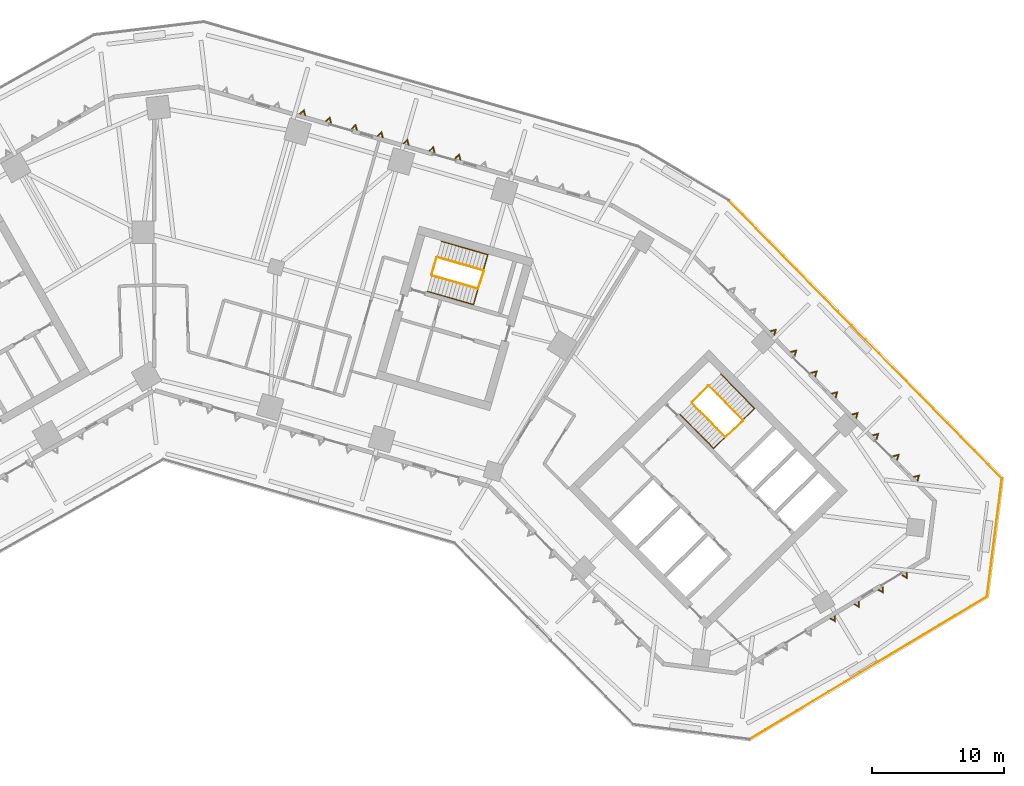
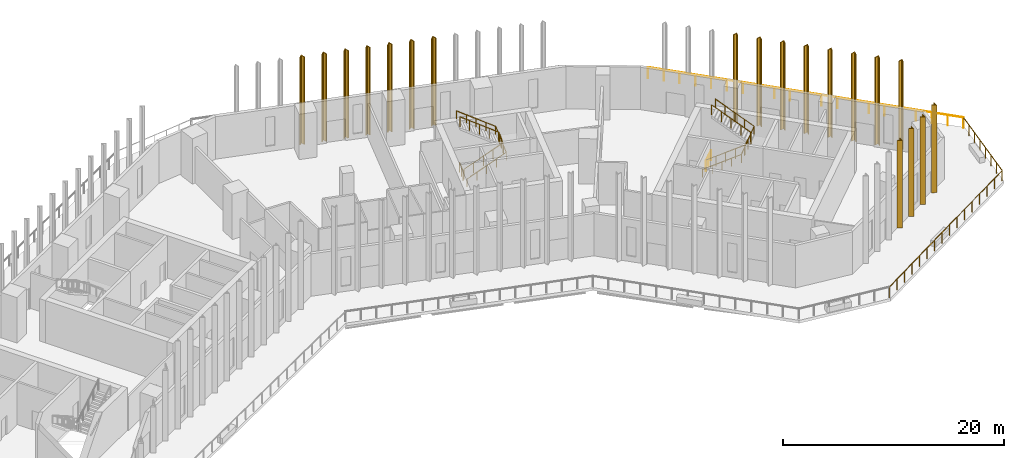
# One storey, part 15 of 17: 19 shading devices, 11 railings.
"""IFC4 building model written with IfcOpenShell, lengths in metres."""

from ifc_helpers import new_model, si_unit, direction, frame, origin, origin_2d, place, context, subcontext, project, spatial, polyline, circle, outline, extrude, material, type_object, element, save


model = new_model("IFC4")

# Units and contexts
model_context = context("Model", 3, precision=1e-05, world=origin(), true_north=direction((0.0, 1.0)))
body_context = subcontext(model_context, "Body", "Model", "MODEL_VIEW")
ifc_project = project(units=[si_unit("LENGTHUNIT", "METRE"), si_unit("AREAUNIT", "SQUARE_METRE"), si_unit("VOLUMEUNIT", "CUBIC_METRE"), si_unit("PLANEANGLEUNIT", "RADIAN"), si_unit("MASSUNIT", "GRAM", prefix="KILO")], contexts=[model_context])

# Site, building, storey
site_placement = place(None, origin())
site = spatial("IfcSite", under=ifc_project, at=site_placement, CompositionType="ELEMENT")
building_placement = place(site_placement, origin())
building = spatial("IfcBuilding", under=site, at=building_placement, Name="Binnacle Exchange Tower", CompositionType="ELEMENT")
storey_placement = place(building_placement, frame((0.0, 0.0, 26.5)))
storey = spatial("IfcBuildingStorey", under=building, at=storey_placement, Name="L05", CompositionType="ELEMENT", Elevation=26.5)

# Railings
ifc_material_1 = material(Name="Bronze anodised aluminium frame", Category="aluminium")
railing_type_1 = type_object("IfcRailingType", Name="GUARD 1200", PredefinedType="GUARDRAIL", material=ifc_material_1)
railing_1_placement = place(storey_placement, frame((45.200439453125, 21.5009765625, 0.0)))
element("IfcRailing", 1, at=railing_1_placement, inside=storey, type_object=railing_type_1, Name="Terrace guard 12 Terrace P", PredefinedType="GUARDRAIL", context=body_context, shape_type="SweptSolid", body=[
    extrude(circle(Radius=0.02392578125, at=origin_2d()), frame((0.0, 0.0, 1.17578125), z_axis=(0.857165029251, 0.51504185522, 0.0), x_axis=(-0.51504185522, 0.857165029251, 0.0)), (0.0, 0.0, 1.0), 21.0341796875),
    extrude(circle(Radius=0.02099609375, at=origin_2d()), origin(), (0.0, 0.0, 1.0), 1.15185546875),
    extrude(circle(Radius=0.02099609375, at=origin_2d()), frame((1.201904296875, 0.72216796875, 0.0)), (0.0, 0.0, 1.0), 1.15185546875),
    extrude(circle(Radius=0.02099609375, at=origin_2d()), frame((2.404052734375, 1.444580078125, 0.0)), (0.0, 0.0, 1.0), 1.15185546875),
    extrude(circle(Radius=0.02099609375, at=origin_2d()), frame((3.60595703125, 2.166748046875, 0.0)), (0.0, 0.0, 1.0), 1.15185546875),
    extrude(circle(Radius=0.02099609375, at=origin_2d()), frame((4.807861328125, 2.888916015625, 0.0)), (0.0, 0.0, 1.0), 1.15185546875),
    extrude(circle(Radius=0.02099609375, at=origin_2d()), frame((6.010009765625, 3.611083984375, 0.0)), (0.0, 0.0, 1.0), 1.15185546875),
    extrude(circle(Radius=0.02099609375, at=origin_2d()), frame((7.2119140625, 4.33349609375, 0.0)), (0.0, 0.0, 1.0), 1.15185546875),
    extrude(circle(Radius=0.02099609375, at=origin_2d()), frame((8.413818359375, 5.0556640625, 0.0)), (0.0, 0.0, 1.0), 1.15185546875),
    extrude(circle(Radius=0.02099609375, at=origin_2d()), frame((9.615966796875, 5.77783203125, 0.0)), (0.0, 0.0, 1.0), 1.15185546875),
    extrude(circle(Radius=0.02099609375, at=origin_2d()), frame((10.81787109375, 6.5, 0.0)), (0.0, 0.0, 1.0), 1.15185546875),
    extrude(circle(Radius=0.02099609375, at=origin_2d()), frame((12.019775390625, 7.222412109375, 0.0)), (0.0, 0.0, 1.0), 1.15185546875),
    extrude(circle(Radius=0.02099609375, at=origin_2d()), frame((13.221923828125, 7.944580078125, 0.0)), (0.0, 0.0, 1.0), 1.15185546875),
    extrude(circle(Radius=0.02099609375, at=origin_2d()), frame((14.423828125, 8.666748046875, 0.0)), (0.0, 0.0, 1.0), 1.15185546875),
    extrude(circle(Radius=0.02099609375, at=origin_2d()), frame((15.625732421875, 9.388916015625, 0.0)), (0.0, 0.0, 1.0), 1.15185546875),
    extrude(circle(Radius=0.02099609375, at=origin_2d()), frame((16.827880859375, 10.111328125, 0.0)), (0.0, 0.0, 1.0), 1.15185546875),
    extrude(circle(Radius=0.02099609375, at=origin_2d()), frame((18.02978515625, 10.83349609375, 0.0)), (0.0, 0.0, 1.0), 1.15185546875),
])
railing_2_placement = place(storey_placement, frame((63.230224609375, 32.33447265625, 0.0)))
element("IfcRailing", 2, at=railing_2_placement, inside=storey, type_object=railing_type_1, Name="Terrace guard 13 Terrace P", PredefinedType="GUARDRAIL", context=body_context, shape_type="SweptSolid", body=[
    extrude(circle(Radius=0.02392578125, at=origin_2d()), frame((0.0, 0.0, 1.17578125), z_axis=(0.126195319234, 0.992005413999, 0.0), x_axis=(-0.992005413999, 0.126195319234, 0.0)), (0.0, 0.0, 1.0), 9.03857421875),
    extrude(circle(Radius=0.02099609375, at=origin_2d()), origin(), (0.0, 0.0, 1.0), 1.15185546875),
    extrude(circle(Radius=0.02099609375, at=origin_2d()), frame((0.162841796875, 1.281005859375, 0.0)), (0.0, 0.0, 1.0), 1.15185546875),
    extrude(circle(Radius=0.02099609375, at=origin_2d()), frame((0.325927734375, 2.561767578125, 0.0)), (0.0, 0.0, 1.0), 1.15185546875),
    extrude(circle(Radius=0.02099609375, at=origin_2d()), frame((0.48876953125, 3.8427734375, 0.0)), (0.0, 0.0, 1.0), 1.15185546875),
    extrude(circle(Radius=0.02099609375, at=origin_2d()), frame((0.65185546875, 5.12353515625, 0.0)), (0.0, 0.0, 1.0), 1.15185546875),
    extrude(circle(Radius=0.02099609375, at=origin_2d()), frame((0.814697265625, 6.404541015625, 0.0)), (0.0, 0.0, 1.0), 1.15185546875),
    extrude(circle(Radius=0.02099609375, at=origin_2d()), frame((0.977783203125, 7.685302734375, 0.0)), (0.0, 0.0, 1.0), 1.15185546875),
    extrude(circle(Radius=0.02099609375, at=origin_2d()), frame((1.140625, 8.96630859375, 0.0)), (0.0, 0.0, 1.0), 1.15185546875),
])
railing_3_placement = place(storey_placement, frame((64.370849609375, 41.30078125, 0.0)))
element("IfcRailing", 3, at=railing_3_placement, inside=storey, type_object=railing_type_1, Name="Terrace guard 14 Terrace P", PredefinedType="GUARDRAIL", context=body_context, shape_type="SweptSolid", body=[
    extrude(circle(Radius=0.02392578125, at=origin_2d()), frame((0.0, 0.0, 1.17578125), z_axis=(-0.700909532215, 0.713250185875, 0.0), x_axis=(-0.713250185875, -0.700909532215, 0.0)), (0.0, 0.0, 1.0), 29.595947265625),
    extrude(circle(Radius=0.02099609375, at=origin_2d()), origin(), (0.0, 0.0, 1.0), 1.15185546875),
    extrude(circle(Radius=0.02099609375, at=origin_2d()), frame((-1.037109375, 1.055419921875, 0.0)), (0.0, 0.0, 1.0), 1.15185546875),
    extrude(circle(Radius=0.02099609375, at=origin_2d()), frame((-2.074462890625, 2.11083984375, 0.0)), (0.0, 0.0, 1.0), 1.15185546875),
    extrude(circle(Radius=0.02099609375, at=origin_2d()), frame((-3.111572265625, 3.16650390625, 0.0)), (0.0, 0.0, 1.0), 1.15185546875),
    extrude(circle(Radius=0.02099609375, at=origin_2d()), frame((-4.14892578125, 4.221923828125, 0.0)), (0.0, 0.0, 1.0), 1.15185546875),
    extrude(circle(Radius=0.02099609375, at=origin_2d()), frame((-5.18603515625, 5.27734375, 0.0)), (0.0, 0.0, 1.0), 1.15185546875),
    extrude(circle(Radius=0.02099609375, at=origin_2d()), frame((-6.22314453125, 6.332763671875, 0.0)), (0.0, 0.0, 1.0), 1.15185546875),
    extrude(circle(Radius=0.02099609375, at=origin_2d()), frame((-7.260498046875, 7.38818359375, 0.0)), (0.0, 0.0, 1.0), 1.15185546875),
    extrude(circle(Radius=0.02099609375, at=origin_2d()), frame((-8.297607421875, 8.44384765625, 0.0)), (0.0, 0.0, 1.0), 1.15185546875),
    extrude(circle(Radius=0.02099609375, at=origin_2d()), frame((-9.3349609375, 9.499267578125, 0.0)), (0.0, 0.0, 1.0), 1.15185546875),
    extrude(circle(Radius=0.02099609375, at=origin_2d()), frame((-10.3720703125, 10.5546875, 0.0)), (0.0, 0.0, 1.0), 1.15185546875),
    extrude(circle(Radius=0.02099609375, at=origin_2d()), frame((-11.4091796875, 11.610107421875, 0.0)), (0.0, 0.0, 1.0), 1.15185546875),
    extrude(circle(Radius=0.02099609375, at=origin_2d()), frame((-12.446533203125, 12.66552734375, 0.0)), (0.0, 0.0, 1.0), 1.15185546875),
    extrude(circle(Radius=0.02099609375, at=origin_2d()), frame((-13.483642578125, 13.72119140625, 0.0)), (0.0, 0.0, 1.0), 1.15185546875),
    extrude(circle(Radius=0.02099609375, at=origin_2d()), frame((-14.52099609375, 14.776611328125, 0.0)), (0.0, 0.0, 1.0), 1.15185546875),
    extrude(circle(Radius=0.02099609375, at=origin_2d()), frame((-15.55810546875, 15.83203125, 0.0)), (0.0, 0.0, 1.0), 1.15185546875),
    extrude(circle(Radius=0.02099609375, at=origin_2d()), frame((-16.59521484375, 16.887451171875, 0.0)), (0.0, 0.0, 1.0), 1.15185546875),
    extrude(circle(Radius=0.02099609375, at=origin_2d()), frame((-17.632568359375, 17.94287109375, 0.0)), (0.0, 0.0, 1.0), 1.15185546875),
    extrude(circle(Radius=0.02099609375, at=origin_2d()), frame((-18.669677734375, 18.99853515625, 0.0)), (0.0, 0.0, 1.0), 1.15185546875),
    extrude(circle(Radius=0.02099609375, at=origin_2d()), frame((-19.70703125, 20.053955078125, 0.0)), (0.0, 0.0, 1.0), 1.15185546875),
    extrude(circle(Radius=0.02099609375, at=origin_2d()), frame((-20.744140625, 21.109375, 0.0)), (0.0, 0.0, 1.0), 1.15185546875),
])
ifc_material_2 = material(Name="Steel guard rail", Category="steel")
railing_type_2 = type_object("IfcRailingType", Name="STAIR GUARD 1100", PredefinedType="GUARDRAIL", material=ifc_material_2)
railing_4_placement = place(storey_placement, frame((40.822509765625, 47.046875, 0.178466796875)))
element("IfcRailing", 4, at=railing_4_placement, inside=storey, type_object=railing_type_2, Name="L05 STB1 stair guard 1", PredefinedType="GUARDRAIL", context=body_context, shape_type="SweptSolid", body=[
    extrude(circle(Radius=0.02392578125, at=origin_2d()), frame((0.0, 0.0, 1.076171875), z_axis=(0.590946962671, -0.60135215321, 0.537733461056), x_axis=(0.713250539553, 0.700909172309, 0.0)), (0.0, 0.0, 1.0), 4.317138671875),
    extrude(circle(Radius=0.02392578125, at=origin_2d()), frame((2.55126953125, -2.59619140625, 3.3974609375), z_axis=(0.732527851538, 0.680737061369, 0.0), x_axis=(-0.680737061369, 0.732527851538, 0.0)), (0.0, 0.0, 1.0), 1.80078125),
    extrude(circle(Radius=0.02099609375, at=origin_2d()), origin(), (0.0, 0.0, 1.0), 1.052001953125),
    extrude(circle(Radius=0.02099609375, at=origin_2d()), frame((0.6376953125, -0.64892578125, 0.580322265625)), (0.0, 0.0, 1.0), 1.052001953125),
    extrude(circle(Radius=0.02099609375, at=origin_2d()), frame((1.275634765625, -1.298095703125, 1.16064453125)), (0.0, 0.0, 1.0), 1.052001953125),
    extrude(circle(Radius=0.02099609375, at=origin_2d()), frame((1.91357421875, -1.947265625, 1.7412109375)), (0.0, 0.0, 1.0), 1.052001953125),
    extrude(circle(Radius=0.02099609375, at=origin_2d()), frame((2.55126953125, -2.59619140625, 2.321533203125)), (0.0, 0.0, 1.0), 1.052001953125),
    extrude(circle(Radius=0.02099609375, at=origin_2d()), frame((3.2109375, -1.9833984375, 2.321533203125)), (0.0, 0.0, 1.0), 1.052001953125),
    extrude(circle(Radius=0.02099609375, at=origin_2d()), frame((3.870361328125, -1.370361328125, 2.321533203125)), (0.0, 0.0, 1.0), 1.052001953125),
])
railing_5_placement = place(storey_placement, frame((44.693359375, 45.747314453125, 2.678466796875)))
element("IfcRailing", 5, at=railing_5_placement, inside=storey, type_object=railing_type_2, Name="L05 STB1 stair guard 2", PredefinedType="GUARDRAIL", context=body_context, shape_type="SweptSolid", body=[
    extrude(circle(Radius=0.02392578125, at=origin_2d()), frame((0.0, 0.0, 1.076171875), z_axis=(-0.590946962671, 0.60135215321, 0.537733461056), x_axis=(-0.713250539553, -0.700909172309, 0.0)), (0.0, 0.0, 1.0), 4.317138671875),
    extrude(circle(Radius=0.02099609375, at=origin_2d()), origin(), (0.0, 0.0, 1.0), 1.052001953125),
    extrude(circle(Radius=0.02099609375, at=origin_2d()), frame((-0.6376953125, 0.64892578125, 0.580322265625)), (0.0, 0.0, 1.0), 1.052001953125),
    extrude(circle(Radius=0.02099609375, at=origin_2d()), frame((-1.275634765625, 1.298095703125, 1.16064453125)), (0.0, 0.0, 1.0), 1.052001953125),
    extrude(circle(Radius=0.02099609375, at=origin_2d()), frame((-1.91357421875, 1.947265625, 1.7412109375)), (0.0, 0.0, 1.0), 1.052001953125),
    extrude(circle(Radius=0.02099609375, at=origin_2d()), frame((-2.55126953125, 2.59619140625, 2.321533203125)), (0.0, 0.0, 1.0), 1.052001953125),
])
railing_6_placement = place(storey_placement, frame((40.8232421875, 47.117431640625, 0.0)))
element("IfcRailing", 6, at=railing_6_placement, inside=storey, type_object=railing_type_2, Name="L05 STB1 stair guard 3", PredefinedType="GUARDRAIL", context=body_context, shape_type="SweptSolid", body=[
    extrude(circle(Radius=0.02392578125, at=origin_2d()), frame((0.0, 0.0, 1.076171875), z_axis=(0.713218950569, 0.700941316052, 0.0), x_axis=(-0.700941316052, 0.713218950569, 0.0)), (0.0, 0.0, 1.0), 1.75),
    extrude(circle(Radius=0.02099609375, at=origin_2d()), origin(), (0.0, 0.0, 1.0), 1.052001953125),
    extrude(circle(Radius=0.02099609375, at=origin_2d()), frame((0.6240234375, 0.61328125, 0.0)), (0.0, 0.0, 1.0), 1.052001953125),
    extrude(circle(Radius=0.02099609375, at=origin_2d()), frame((1.248046875, 1.2265625, 0.0)), (0.0, 0.0, 1.0), 1.052001953125),
])
railing_7_placement = place(storey_placement, frame((21.086669921875, 56.71044921875, 0.178466796875)))
element("IfcRailing", 7, at=railing_7_placement, inside=storey, type_object=railing_type_2, Name="L05 STD1 stair guard 1", PredefinedType="GUARDRAIL", context=body_context, shape_type="SweptSolid", body=[
    extrude(circle(Radius=0.02392578125, at=origin_2d()), frame((0.0, 0.0, 1.076171875), z_axis=(0.810455892038, -0.232415135102, 0.537721537635), x_axis=(0.275659984683, 0.961255206927, 0.0)), (0.0, 0.0, 1.0), 4.3173828125),
    extrude(circle(Radius=0.02392578125, at=origin_2d()), frame((3.4990234375, -1.00341796875, 3.3974609375), z_axis=(0.309684985722, 0.950839213337, 0.0), x_axis=(-0.950839213337, 0.309684985722, 0.0)), (0.0, 0.0, 1.0), 1.40087890625),
    extrude(circle(Radius=0.02099609375, at=origin_2d()), origin(), (0.0, 0.0, 1.0), 1.052001953125),
    extrude(circle(Radius=0.02099609375, at=origin_2d()), frame((0.874755859375, -0.2509765625, 0.580322265625)), (0.0, 0.0, 1.0), 1.052001953125),
    extrude(circle(Radius=0.02099609375, at=origin_2d()), frame((1.74951171875, -0.501708984375, 1.16064453125)), (0.0, 0.0, 1.0), 1.052001953125),
    extrude(circle(Radius=0.02099609375, at=origin_2d()), frame((2.624267578125, -0.75244140625, 1.7412109375)), (0.0, 0.0, 1.0), 1.052001953125),
    extrude(circle(Radius=0.02099609375, at=origin_2d()), frame((3.4990234375, -1.00341796875, 2.321533203125)), (0.0, 0.0, 1.0), 1.052001953125),
    extrude(circle(Radius=0.02099609375, at=origin_2d()), frame((3.7158203125, -0.33740234375, 2.321533203125)), (0.0, 0.0, 1.0), 1.052001953125),
    extrude(circle(Radius=0.02099609375, at=origin_2d()), frame((3.932861328125, 0.32861328125, 2.321533203125)), (0.0, 0.0, 1.0), 1.052001953125),
])
railing_8_placement = place(storey_placement, frame((24.9853515625, 57.100830078125, 2.678466796875)))
element("IfcRailing", 8, at=railing_8_placement, inside=storey, type_object=railing_type_2, Name="L05 STD1 stair guard 2", PredefinedType="GUARDRAIL", context=body_context, shape_type="SweptSolid", body=[
    extrude(circle(Radius=0.02392578125, at=origin_2d()), frame((0.0, 0.0, 1.076171875), z_axis=(-0.810455892038, 0.232415135102, 0.537721537635), x_axis=(-0.275659984683, -0.961255206927, 0.0)), (0.0, 0.0, 1.0), 4.3173828125),
    extrude(circle(Radius=0.02099609375, at=origin_2d()), origin(), (0.0, 0.0, 1.0), 1.052001953125),
    extrude(circle(Radius=0.02099609375, at=origin_2d()), frame((-0.874755859375, 0.2509765625, 0.580322265625)), (0.0, 0.0, 1.0), 1.052001953125),
    extrude(circle(Radius=0.02099609375, at=origin_2d()), frame((-1.74951171875, 0.501708984375, 1.16064453125)), (0.0, 0.0, 1.0), 1.052001953125),
    extrude(circle(Radius=0.02099609375, at=origin_2d()), frame((-2.624267578125, 0.75244140625, 1.7412109375)), (0.0, 0.0, 1.0), 1.052001953125),
    extrude(circle(Radius=0.02099609375, at=origin_2d()), frame((-3.4990234375, 1.00341796875, 2.321533203125)), (0.0, 0.0, 1.0), 1.052001953125),
])
railing_9_placement = place(storey_placement, frame((21.05224609375, 56.772216796875, 0.0)))
element("IfcRailing", 9, at=railing_9_placement, inside=storey, type_object=railing_type_2, Name="L05 STD1 stair guard 3", PredefinedType="GUARDRAIL", context=body_context, shape_type="SweptSolid", body=[
    extrude(circle(Radius=0.02392578125, at=origin_2d()), frame((0.0, 0.0, 1.076171875), z_axis=(0.275795817769, 0.961216243569, 0.0), x_axis=(-0.961216243569, 0.275795817769, 0.0)), (0.0, 0.0, 1.0), 1.349853515625),
    extrude(circle(Radius=0.02099609375, at=origin_2d()), origin(), (0.0, 0.0, 1.0), 1.052001953125),
    extrude(circle(Radius=0.02099609375, at=origin_2d()), frame((0.18603515625, 0.64892578125, 0.0)), (0.0, 0.0, 1.0), 1.052001953125),
    extrude(circle(Radius=0.02099609375, at=origin_2d()), frame((0.372314453125, 1.297607421875, 0.0)), (0.0, 0.0, 1.0), 1.052001953125),
])
ifc_material_3 = material(Name="Steel handrail", Category="steel")
railing_type_3 = type_object("IfcRailingType", Name="STAIR HANDRAIL 900", PredefinedType="HANDRAIL", material=ifc_material_3)
railing_10_placement = place(storey_placement, frame((39.930908203125, 46.170654296875, 0.178466796875)))
element("IfcRailing", 10, at=railing_10_placement, inside=storey, type_object=railing_type_3, Name="L05 STB1 stair handrail 1", PredefinedType="HANDRAIL", context=body_context, shape_type="SweptSolid", body=[
    extrude(circle(Radius=0.02392578125, at=origin_2d()), frame((0.0, 0.0, 0.8759765625), z_axis=(0.590983762497, -0.601332057257, 0.53771549111), x_axis=(0.713217009097, 0.700943291525, 0.0)), (0.0, 0.0, 1.0), 4.3173828125),
    extrude(circle(Radius=0.02392578125, at=origin_2d()), frame((2.551513671875, -2.59619140625, 3.197265625), z_axis=(0.712654164256, 0.700316745611, 0.040993877406), x_axis=(-0.700905928746, 0.713253726978, 0.0)), (0.0, 0.0, 1.0), 4.353515625),
    extrude(circle(Radius=0.02392578125, at=origin_2d()), frame((5.654052734375, 0.45263671875, 3.3759765625), z_axis=(-0.590926866753, 0.601388251475, 0.537715174732), x_axis=(-0.713283488215, -0.700875641922, 0.0)), (0.0, 0.0, 1.0), 4.3173828125),
    extrude(circle(Radius=0.02099609375, at=origin_2d()), origin(), (0.0, 0.0, 1.0), 0.851806640625),
    extrude(circle(Radius=0.02099609375, at=origin_2d()), frame((0.637939453125, -0.64892578125, 0.580322265625)), (0.0, 0.0, 1.0), 0.851806640625),
    extrude(circle(Radius=0.02099609375, at=origin_2d()), frame((1.27587890625, -1.298095703125, 1.16064453125)), (0.0, 0.0, 1.0), 0.851806640625),
    extrude(circle(Radius=0.02099609375, at=origin_2d()), frame((1.91357421875, -1.947265625, 1.7412109375)), (0.0, 0.0, 1.0), 0.851806640625),
    extrude(circle(Radius=0.02099609375, at=origin_2d()), frame((2.551513671875, -2.59619140625, 2.321533203125)), (0.0, 0.0, 1.0), 0.851806640625),
    extrude(circle(Radius=0.02099609375, at=origin_2d()), frame((3.3271484375, -1.833984375, 2.3662109375)), (0.0, 0.0, 1.0), 0.851806640625),
    extrude(circle(Radius=0.02099609375, at=origin_2d()), frame((4.102783203125, -1.07177734375, 2.41064453125)), (0.0, 0.0, 1.0), 0.851806640625),
    extrude(circle(Radius=0.02099609375, at=origin_2d()), frame((4.87841796875, -0.3095703125, 2.455322265625)), (0.0, 0.0, 1.0), 0.851806640625),
    extrude(circle(Radius=0.02099609375, at=origin_2d()), frame((5.654052734375, 0.45263671875, 2.5)), (0.0, 0.0, 1.0), 0.851806640625),
    extrude(circle(Radius=0.02099609375, at=origin_2d()), frame((5.01611328125, 1.101806640625, 3.080322265625)), (0.0, 0.0, 1.0), 0.851806640625),
    extrude(circle(Radius=0.02099609375, at=origin_2d()), frame((4.37841796875, 1.7509765625, 3.66064453125)), (0.0, 0.0, 1.0), 0.851806640625),
    extrude(circle(Radius=0.02099609375, at=origin_2d()), frame((3.74072265625, 2.39990234375, 4.2412109375)), (0.0, 0.0, 1.0), 0.851806640625),
    extrude(circle(Radius=0.02099609375, at=origin_2d()), frame((3.102783203125, 3.049072265625, 4.821533203125)), (0.0, 0.0, 1.0), 0.851806640625),
])
railing_11_placement = place(storey_placement, frame((20.7421875, 55.5087890625, 0.178466796875)))
element("IfcRailing", 11, at=railing_11_placement, inside=storey, type_object=railing_type_3, Name="L05 STD1 stair handrail 1", PredefinedType="HANDRAIL", context=body_context, shape_type="SweptSolid", body=[
    extrude(circle(Radius=0.02392578125, at=origin_2d()), frame((0.0, 0.0, 0.8759765625), z_axis=(0.810436485383, -0.2324257871, 0.537746182368), x_axis=(0.27567775811, 0.961250109848, 0.0)), (0.0, 0.0, 1.0), 4.317138671875),
    extrude(circle(Radius=0.02392578125, at=origin_2d()), frame((3.498779296875, -1.00341796875, 3.197265625), z_axis=(0.275370676617, 0.960278056821, 0.045133624351), x_axis=(-0.961257617982, 0.275651576943, 0.0)), (0.0, 0.0, 1.0), 3.9541015625),
    extrude(circle(Radius=0.02392578125, at=origin_2d()), frame((4.587646484375, 2.793701171875, 3.3759765625), z_axis=(-0.810466542589, 0.232361639932, 0.537728604067), x_axis=(-0.275598008994, -0.961272977587, 0.0)), (0.0, 0.0, 1.0), 4.3173828125),
    extrude(circle(Radius=0.02099609375, at=origin_2d()), origin(), (0.0, 0.0, 1.0), 0.851806640625),
    extrude(circle(Radius=0.02099609375, at=origin_2d()), frame((0.874755859375, -0.2509765625, 0.580322265625)), (0.0, 0.0, 1.0), 0.851806640625),
    extrude(circle(Radius=0.02099609375, at=origin_2d()), frame((1.74951171875, -0.501708984375, 1.16064453125)), (0.0, 0.0, 1.0), 0.851806640625),
    extrude(circle(Radius=0.02099609375, at=origin_2d()), frame((2.6240234375, -0.75244140625, 1.7412109375)), (0.0, 0.0, 1.0), 0.851806640625),
    extrude(circle(Radius=0.02099609375, at=origin_2d()), frame((3.498779296875, -1.00341796875, 2.321533203125)), (0.0, 0.0, 1.0), 0.851806640625),
    extrude(circle(Radius=0.02099609375, at=origin_2d()), frame((3.77099609375, -0.05419921875, 2.3662109375)), (0.0, 0.0, 1.0), 0.851806640625),
    extrude(circle(Radius=0.02099609375, at=origin_2d()), frame((4.043212890625, 0.89501953125, 2.41064453125)), (0.0, 0.0, 1.0), 0.851806640625),
    extrude(circle(Radius=0.02099609375, at=origin_2d()), frame((4.3154296875, 1.844482421875, 2.455322265625)), (0.0, 0.0, 1.0), 0.851806640625),
    extrude(circle(Radius=0.02099609375, at=origin_2d()), frame((4.587646484375, 2.793701171875, 2.5)), (0.0, 0.0, 1.0), 0.851806640625),
    extrude(circle(Radius=0.02099609375, at=origin_2d()), frame((3.712890625, 3.04443359375, 3.080322265625)), (0.0, 0.0, 1.0), 0.851806640625),
    extrude(circle(Radius=0.02099609375, at=origin_2d()), frame((2.838134765625, 3.29541015625, 3.66064453125)), (0.0, 0.0, 1.0), 0.851806640625),
    extrude(circle(Radius=0.02099609375, at=origin_2d()), frame((1.96337890625, 3.546142578125, 4.2412109375)), (0.0, 0.0, 1.0), 0.851806640625),
    extrude(circle(Radius=0.02099609375, at=origin_2d()), frame((1.088623046875, 3.796875, 4.821533203125)), (0.0, 0.0, 1.0), 0.851806640625),
])

# Shading devices
ifc_material_4 = material(Name="Bronze aluminium cladding", Category="aluminium")
shading_device_type = type_object("IfcShadingDeviceType", Name="V FIN 433 DEEP x 9680 HIGH", PredefinedType="USERDEFINED", material=ifc_material_4)
shading_device_1_placement = place(storey_placement, origin())
element("IfcShadingDevice", 12, at=shading_device_1_placement, inside=storey, type_object=shading_device_type, Name="V fin FN-F01-06 L05", ObjectType="FIN", PredefinedType="USERDEFINED", context=body_context, shape_type="SweptSolid", body=[
    extrude(outline(polyline([(23.287109375, 65.478515625), (23.166015625, 65.963623046875), (22.806396484375, 65.616455078125), (22.895263671875, 65.5908203125), (23.121826171875, 65.809814453125), (23.1982421875, 65.504150390625), (23.287109375, 65.478515625)])), origin(), (0.0, 0.0, 1.0), 9.679931640625),
])
shading_device_2_placement = place(storey_placement, origin())
element("IfcShadingDevice", 13, at=shading_device_2_placement, inside=storey, type_object=shading_device_type, Name="V fin FN-F01-07 L05", ObjectType="FIN", PredefinedType="USERDEFINED", context=body_context, shape_type="SweptSolid", body=[
    extrude(outline(polyline([(21.32275390625, 66.041748046875), (21.201904296875, 66.52685546875), (20.84228515625, 66.1796875), (20.930908203125, 66.154052734375), (21.15771484375, 66.373046875), (21.23388671875, 66.0673828125), (21.32275390625, 66.041748046875)])), origin(), (0.0, 0.0, 1.0), 9.679931640625),
])
shading_device_3_placement = place(storey_placement, origin())
element("IfcShadingDevice", 14, at=shading_device_3_placement, inside=storey, type_object=shading_device_type, Name="V fin FN-F01-08 L05", ObjectType="FIN", PredefinedType="USERDEFINED", context=body_context, shape_type="SweptSolid", body=[
    extrude(outline(polyline([(19.35888671875, 66.60498046875), (19.23779296875, 67.090087890625), (18.878173828125, 66.742919921875), (18.967041015625, 66.71728515625), (19.193603515625, 66.936279296875), (19.27001953125, 66.630615234375), (19.35888671875, 66.60498046875)])), origin(), (0.0, 0.0, 1.0), 9.679931640625),
])
shading_device_4_placement = place(storey_placement, origin())
element("IfcShadingDevice", 15, at=shading_device_4_placement, inside=storey, type_object=shading_device_type, Name="V fin FN-F01-09 L05", ObjectType="FIN", PredefinedType="USERDEFINED", context=body_context, shape_type="SweptSolid", body=[
    extrude(outline(polyline([(17.394775390625, 67.168212890625), (17.273681640625, 67.6533203125), (16.9140625, 67.305908203125), (17.0029296875, 67.280517578125), (17.2294921875, 67.49951171875), (17.305908203125, 67.193603515625), (17.394775390625, 67.168212890625)])), origin(), (0.0, 0.0, 1.0), 9.679931640625),
])
shading_device_5_placement = place(storey_placement, origin())
element("IfcShadingDevice", 16, at=shading_device_5_placement, inside=storey, type_object=shading_device_type, Name="V fin FN-F01-10 L05", ObjectType="FIN", PredefinedType="USERDEFINED", context=body_context, shape_type="SweptSolid", body=[
    extrude(outline(polyline([(15.4306640625, 67.7314453125), (15.309814453125, 68.216552734375), (14.949951171875, 67.869140625), (15.038818359375, 67.84375), (15.265380859375, 68.062744140625), (15.341796875, 67.7568359375), (15.4306640625, 67.7314453125)])), origin(), (0.0, 0.0, 1.0), 9.679931640625),
])
shading_device_6_placement = place(storey_placement, origin())
element("IfcShadingDevice", 17, at=shading_device_6_placement, inside=storey, type_object=shading_device_type, Name="V fin FN-F01-11 L05", ObjectType="FIN", PredefinedType="USERDEFINED", context=body_context, shape_type="SweptSolid", body=[
    extrude(outline(polyline([(13.466552734375, 68.294677734375), (13.345703125, 68.77978515625), (12.98583984375, 68.432373046875), (13.07470703125, 68.406982421875), (13.301513671875, 68.6259765625), (13.377685546875, 68.320068359375), (13.466552734375, 68.294677734375)])), origin(), (0.0, 0.0, 1.0), 9.679931640625),
])
shading_device_7_placement = place(storey_placement, origin())
element("IfcShadingDevice", 18, at=shading_device_7_placement, inside=storey, type_object=shading_device_type, Name="V fin FN-F01-12 L05", ObjectType="FIN", PredefinedType="USERDEFINED", context=body_context, shape_type="SweptSolid", body=[
    extrude(outline(polyline([(11.50244140625, 68.85791015625), (11.381591796875, 69.343017578125), (11.021728515625, 68.99560546875), (11.110595703125, 68.97021484375), (11.33740234375, 69.189208984375), (11.41357421875, 68.88330078125), (11.50244140625, 68.85791015625)])), origin(), (0.0, 0.0, 1.0), 9.679931640625),
])
shading_device_8_placement = place(storey_placement, origin())
element("IfcShadingDevice", 19, at=shading_device_8_placement, inside=storey, type_object=shading_device_type, Name="V fin FN-F11-04 L05", ObjectType="FIN", PredefinedType="USERDEFINED", context=body_context, shape_type="SweptSolid", body=[
    extrude(outline(polyline([(51.29296875, 30.64501953125), (51.730224609375, 30.402587890625), (51.7216796875, 30.902587890625), (51.642333984375, 30.85498046875), (51.64794921875, 30.539794921875), (51.372314453125, 30.6923828125), (51.29296875, 30.64501953125)])), origin(), (0.0, 0.0, 1.0), 9.679931640625),
])
shading_device_9_placement = place(storey_placement, origin())
element("IfcShadingDevice", 20, at=shading_device_9_placement, inside=storey, type_object=shading_device_type, Name="V fin FN-F11-05 L05", ObjectType="FIN", PredefinedType="USERDEFINED", context=body_context, shape_type="SweptSolid", body=[
    extrude(outline(polyline([(53.114501953125, 31.739501953125), (53.5517578125, 31.4970703125), (53.543212890625, 31.9970703125), (53.4638671875, 31.949462890625), (53.469482421875, 31.63427734375), (53.193603515625, 31.787109375), (53.114501953125, 31.739501953125)])), origin(), (0.0, 0.0, 1.0), 9.679931640625),
])
shading_device_10_placement = place(storey_placement, origin())
element("IfcShadingDevice", 21, at=shading_device_10_placement, inside=storey, type_object=shading_device_type, Name="V fin FN-F11-06 L05", ObjectType="FIN", PredefinedType="USERDEFINED", context=body_context, shape_type="SweptSolid", body=[
    extrude(outline(polyline([(54.935791015625, 32.833984375), (55.373291015625, 32.591552734375), (55.364501953125, 33.091552734375), (55.285400390625, 33.0439453125), (55.290771484375, 32.728759765625), (55.01513671875, 32.881591796875), (54.935791015625, 32.833984375)])), origin(), (0.0, 0.0, 1.0), 9.679931640625),
])
shading_device_11_placement = place(storey_placement, origin())
element("IfcShadingDevice", 22, at=shading_device_11_placement, inside=storey, type_object=shading_device_type, Name="V fin FN-F11-07 L05", ObjectType="FIN", PredefinedType="USERDEFINED", context=body_context, shape_type="SweptSolid", body=[
    extrude(outline(polyline([(56.75732421875, 33.92822265625), (57.194580078125, 33.685791015625), (57.18603515625, 34.185791015625), (57.106689453125, 34.13818359375), (57.1123046875, 33.822998046875), (56.836669921875, 33.975830078125), (56.75732421875, 33.92822265625)])), origin(), (0.0, 0.0, 1.0), 9.679931640625),
])
shading_device_12_placement = place(storey_placement, origin())
element("IfcShadingDevice", 23, at=shading_device_12_placement, inside=storey, type_object=shading_device_type, Name="V fin FN-F13-01 L05", ObjectType="FIN", PredefinedType="USERDEFINED", context=body_context, shape_type="SweptSolid", body=[
    extrude(outline(polyline([(57.990478515625, 41.087890625), (58.1240234375, 41.569580078125), (57.64013671875, 41.444580078125), (57.704833984375, 41.378662109375), (58.010009765625, 41.45751953125), (57.92578125, 41.15380859375), (57.990478515625, 41.087890625)])), origin(), (0.0, 0.0, 1.0), 9.679931640625),
])
shading_device_13_placement = place(storey_placement, origin())
element("IfcShadingDevice", 24, at=shading_device_13_placement, inside=storey, type_object=shading_device_type, Name="V fin FN-F13-02 L05", ObjectType="FIN", PredefinedType="USERDEFINED", context=body_context, shape_type="SweptSolid", body=[
    extrude(outline(polyline([(56.435791015625, 42.669921875), (56.569580078125, 43.151611328125), (56.08544921875, 43.026611328125), (56.150146484375, 42.960693359375), (56.455322265625, 43.03955078125), (56.37109375, 42.73583984375), (56.435791015625, 42.669921875)])), origin(), (0.0, 0.0, 1.0), 9.679931640625),
])
shading_device_14_placement = place(storey_placement, origin())
element("IfcShadingDevice", 25, at=shading_device_14_placement, inside=storey, type_object=shading_device_type, Name="V fin FN-F13-03 L05", ObjectType="FIN", PredefinedType="USERDEFINED", context=body_context, shape_type="SweptSolid", body=[
    extrude(outline(polyline([(54.881103515625, 44.251953125), (55.014892578125, 44.733642578125), (54.53076171875, 44.6083984375), (54.595458984375, 44.54248046875), (54.900634765625, 44.62158203125), (54.81640625, 44.31787109375), (54.881103515625, 44.251953125)])), origin(), (0.0, 0.0, 1.0), 9.679931640625),
])
shading_device_15_placement = place(storey_placement, origin())
element("IfcShadingDevice", 26, at=shading_device_15_placement, inside=storey, type_object=shading_device_type, Name="V fin FN-F13-04 L05", ObjectType="FIN", PredefinedType="USERDEFINED", context=body_context, shape_type="SweptSolid", body=[
    extrude(outline(polyline([(53.32666015625, 45.833984375), (53.460205078125, 46.315673828125), (52.976318359375, 46.1904296875), (53.041015625, 46.12451171875), (53.34619140625, 46.20361328125), (53.261962890625, 45.89990234375), (53.32666015625, 45.833984375)])), origin(), (0.0, 0.0, 1.0), 9.679931640625),
])
shading_device_16_placement = place(storey_placement, origin())
element("IfcShadingDevice", 27, at=shading_device_16_placement, inside=storey, type_object=shading_device_type, Name="V fin FN-F13-05 L05", ObjectType="FIN", PredefinedType="USERDEFINED", context=body_context, shape_type="SweptSolid", body=[
    extrude(outline(polyline([(51.77197265625, 47.416015625), (51.905517578125, 47.897705078125), (51.421630859375, 47.7724609375), (51.486328125, 47.70654296875), (51.79150390625, 47.78564453125), (51.707275390625, 47.481689453125), (51.77197265625, 47.416015625)])), origin(), (0.0, 0.0, 1.0), 9.679931640625),
])
shading_device_17_placement = place(storey_placement, origin())
element("IfcShadingDevice", 28, at=shading_device_17_placement, inside=storey, type_object=shading_device_type, Name="V fin FN-F13-06 L05", ObjectType="FIN", PredefinedType="USERDEFINED", context=body_context, shape_type="SweptSolid", body=[
    extrude(outline(polyline([(50.21728515625, 48.997802734375), (50.35107421875, 49.479736328125), (49.866943359375, 49.3544921875), (49.931640625, 49.28857421875), (50.23681640625, 49.36767578125), (50.152587890625, 49.063720703125), (50.21728515625, 48.997802734375)])), origin(), (0.0, 0.0, 1.0), 9.679931640625),
])
shading_device_18_placement = place(storey_placement, origin())
element("IfcShadingDevice", 29, at=shading_device_18_placement, inside=storey, type_object=shading_device_type, Name="V fin FN-F13-07 L05", ObjectType="FIN", PredefinedType="USERDEFINED", context=body_context, shape_type="SweptSolid", body=[
    extrude(outline(polyline([(48.66259765625, 50.579833984375), (48.79638671875, 51.061767578125), (48.312255859375, 50.9365234375), (48.376953125, 50.87060546875), (48.68212890625, 50.94970703125), (48.597900390625, 50.645751953125), (48.66259765625, 50.579833984375)])), origin(), (0.0, 0.0, 1.0), 9.679931640625),
])
shading_device_19_placement = place(storey_placement, origin())
element("IfcShadingDevice", 30, at=shading_device_19_placement, inside=storey, type_object=shading_device_type, Name="V fin FN-F13-08 L05", ObjectType="FIN", PredefinedType="USERDEFINED", context=body_context, shape_type="SweptSolid", body=[
    extrude(outline(polyline([(47.108154296875, 52.161865234375), (47.24169921875, 52.643798828125), (46.7578125, 52.5185546875), (46.822509765625, 52.45263671875), (47.127685546875, 52.531494140625), (47.04345703125, 52.227783203125), (47.108154296875, 52.161865234375)])), origin(), (0.0, 0.0, 1.0), 9.679931640625),
])

save(model, "model.ifc")
